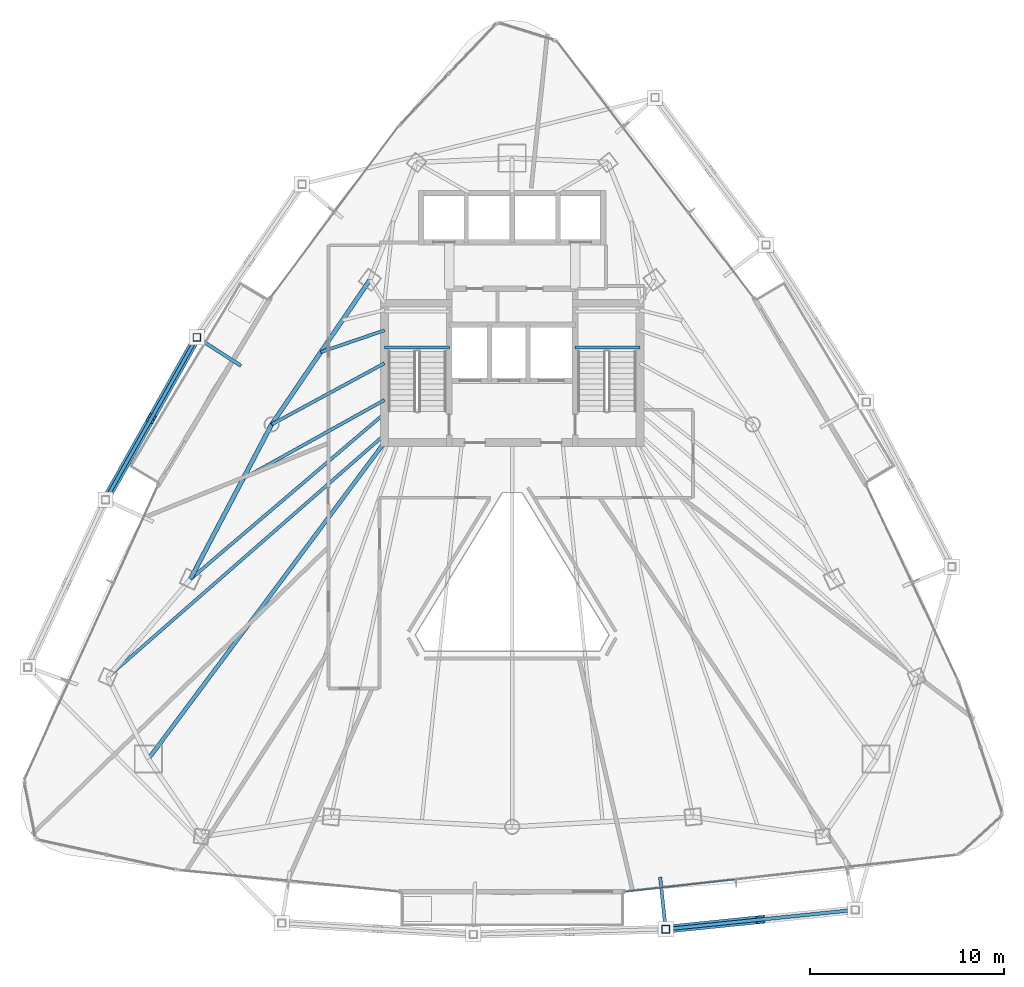
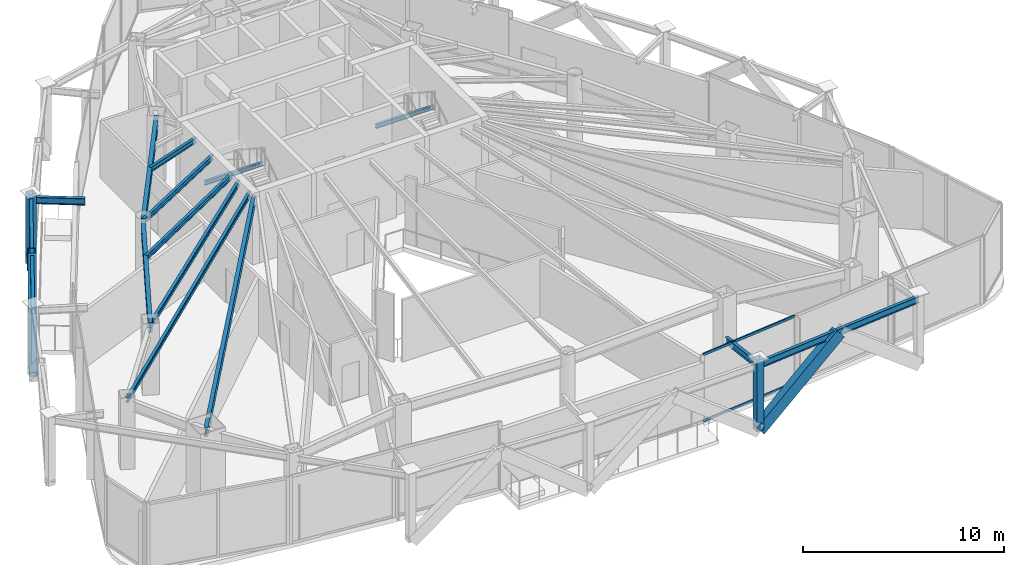
# One storey, part 11 of 28: 14 beams, 7 members, 1 element without a shape of its own.
"""IFC4 building model written with IfcOpenShell, lengths in metres."""

from ifc_helpers import new_model, si_unit, direction, frame, origin, origin_2d, place, context, subcontext, project, spatial, hollow_rectangle, i_section, extrude, material, layer, layer_set, material_profile, profile_set, type_object, element, aggregate, save


model = new_model("IFC4")

# Units and contexts
model_context = context("Model", 3, precision=1e-05, world=origin(), true_north=direction((0.0, 1.0)))
body_context = subcontext(model_context, "Body", "Model", "MODEL_VIEW")
ifc_project = project(units=[si_unit("LENGTHUNIT", "METRE"), si_unit("AREAUNIT", "SQUARE_METRE"), si_unit("VOLUMEUNIT", "CUBIC_METRE"), si_unit("PLANEANGLEUNIT", "RADIAN"), si_unit("MASSUNIT", "GRAM", prefix="KILO")], contexts=[model_context])

# Site, building, storey
site_placement = place(None, origin())
site = spatial("IfcSite", under=ifc_project, at=site_placement, CompositionType="ELEMENT")
building_placement = place(site_placement, origin())
building = spatial("IfcBuilding", under=site, at=building_placement, Name="Orvanel Arch Residences", CompositionType="ELEMENT")
storey_placement = place(building_placement, frame((0.0, 0.0, 146.300048828125)))
storey = spatial("IfcBuildingStorey", under=building, at=storey_placement, Name="L41", CompositionType="ELEMENT", Elevation=146.300048828125)

# Beams
ifc_material_1 = material(Name="Structural steel AS/NZS 3679.1 Grade 300 (300 MPa)", Category="steel")
ifc_material_profile_1 = material_profile(ifc_material_1, i_section(OverallWidth=0.208984375, OverallDepth=0.532958984375, WebThickness=0.01025390625, FlangeThickness=0.015625, at=origin_2d()), Name="530UB92.4")
ifc_profile_set_1 = profile_set([ifc_material_profile_1], Name="Structural steel AS/NZS 3679.1 Grade 300 (300 MPa)")
beam_type_1 = type_object("IfcBeamType", Name="BG-530UB", PredefinedType="BEAM", material=ifc_profile_set_1)
beam_1_placement = place(storey_placement, frame((26.375, 26.675048828125, 3.843017578125), z_axis=(-0.597893733742, -0.801575375839, 0.0), x_axis=(0.801575375839, -0.597893733742, 0.0)))
element("IfcBeam", 1, at=beam_1_placement, inside=storey, type_object=beam_type_1, Name="L41 South-West Radial Girder", PredefinedType="BEAM", context=body_context, shape_type="SweptSolid", body=[
    extrude(i_section(OverallWidth=0.208984375, OverallDepth=0.532958984375, WebThickness=0.01025390625, FlangeThickness=0.015625, at=origin_2d()), origin(), (0.0, 0.0, 1.0), 20.36474609375),
])
ifc_material_profile_2 = material_profile(ifc_material_1, i_section(OverallWidth=0.14599609375, OverallDepth=0.251953125, WebThickness=0.006103515625, FlangeThickness=0.008544921875, at=origin_2d()), Name="250UB31.4")
ifc_profile_set_2 = profile_set([ifc_material_profile_2], Name="Structural steel AS/NZS 3679.1 Grade 300 (300 MPa)")
beam_type_2 = type_object("IfcBeamType", Name="BJ-250UB", PredefinedType="JOIST", material=ifc_profile_set_2)
for number, where, z_axis, x_axis, name in (
    (2, (26.39990234375, 31.6201171875, 1.848876953125), (1.0, 0.0, 0.0), (0.0, 1.0, 0.0), "L41 ST-1 Half-Landing Support Beam 1.1"),
    (3, (36.25, 31.6201171875, 1.848876953125), (1.0, 0.0, 0.0), (0.0, 1.0, 0.0), "L41 ST-2 Half-Landing Support Beam 1.1"),
):
    element("IfcBeam", number, at=place(storey_placement, frame(where, z_axis=z_axis, x_axis=x_axis)), inside=storey, type_object=beam_type_2, Name=name, PredefinedType="JOIST", context=body_context, shape_type="SweptSolid", body=[
        extrude(i_section(OverallWidth=0.14599609375, OverallDepth=0.251953125, WebThickness=0.006103515625, FlangeThickness=0.008544921875, at=origin_2d()), origin(), (0.0, 0.0, 1.0), 3.35009765625),
    ])
ifc_material_profile_3 = material_profile(ifc_material_1, i_section(OverallWidth=0.1650390625, OverallDepth=0.303955078125, WebThickness=0.006103515625, FlangeThickness=0.01025390625, at=origin_2d()), Name="310UB40.4")
ifc_profile_set_3 = profile_set([ifc_material_profile_3], Name="Structural steel AS/NZS 3679.1 Grade 300 (300 MPa)")
beam_type_3 = type_object("IfcBeamType", Name="BJ-310UB", PredefinedType="JOIST", material=ifc_profile_set_3)
beam_2_placement = place(storey_placement, frame((26.39990234375, 30.800048828125, 3.9580078125), z_axis=(-0.87925534649, -0.476350748576, 0.0), x_axis=(0.476350748576, -0.87925534649, 0.0)))
element("IfcBeam", 4, at=beam_2_placement, inside=storey, type_object=beam_type_3, Name="L41 NW Wing Floor Joist", PredefinedType="JOIST", context=body_context, shape_type="SweptSolid", body=[
    extrude(i_section(OverallWidth=0.1650390625, OverallDepth=0.303955078125, WebThickness=0.006103515625, FlangeThickness=0.01025390625, at=origin_2d()), origin(), (0.0, 0.0, 1.0), 6.631591796875),
])
beam_3_placement = place(storey_placement, frame((26.39990234375, 28.199951171875, 3.9580078125), z_axis=(-0.760821315761, -0.648961420644, 0.0), x_axis=(0.648961420644, -0.760821315761, 0.0)))
element("IfcBeam", 5, at=beam_3_placement, inside=storey, type_object=beam_type_3, Name="L41 W Wing Floor Joist", PredefinedType="JOIST", context=body_context, shape_type="SweptSolid", body=[
    extrude(i_section(OverallWidth=0.1650390625, OverallDepth=0.303955078125, WebThickness=0.006103515625, FlangeThickness=0.01025390625, at=origin_2d()), origin(), (0.0, 0.0, 1.0), 13.18701171875),
])
beam_4_placement = place(storey_placement, frame((26.39990234375, 32.5, 3.9580078125), z_axis=(-0.946441958332, -0.322873999431, 0.0), x_axis=(0.322873999431, -0.946441958332, 0.0)))
element("IfcBeam", 6, at=beam_4_placement, inside=storey, type_object=beam_type_3, Name="L41 WNW Wing Floor Joist", PredefinedType="JOIST", context=body_context, shape_type="SweptSolid", body=[
    extrude(i_section(OverallWidth=0.1650390625, OverallDepth=0.303955078125, WebThickness=0.006103515625, FlangeThickness=0.01025390625, at=origin_2d()), origin(), (0.0, 0.0, 1.0), 3.478271484375),
])
beam_5_placement = place(storey_placement, frame((26.39990234375, 27.10009765625, 3.9580078125), z_axis=(-0.752493154183, -0.658600070534, 0.0), x_axis=(0.658600070534, -0.752493154183, 0.0)))
element("IfcBeam", 7, at=beam_5_placement, inside=storey, type_object=beam_type_3, Name="L41 MW Wing Floor Joist", PredefinedType="JOIST", context=body_context, shape_type="SweptSolid", body=[
    extrude(i_section(OverallWidth=0.1650390625, OverallDepth=0.303955078125, WebThickness=0.006103515625, FlangeThickness=0.01025390625, at=origin_2d()), origin(), (0.0, 0.0, 1.0), 19.010009765625),
])
beam_6_placement = place(storey_placement, frame((26.39990234375, 28.89990234375, 3.9580078125), z_axis=(-0.87404697606, -0.485841418202, 0.0), x_axis=(0.485841418202, -0.87404697606, 0.0)))
element("IfcBeam", 8, at=beam_6_placement, inside=storey, type_object=beam_type_3, Name="L41 CTW Wing Floor Joist", PredefinedType="JOIST", context=body_context, shape_type="SweptSolid", body=[
    extrude(i_section(OverallWidth=0.1650390625, OverallDepth=0.303955078125, WebThickness=0.006103515625, FlangeThickness=0.01025390625, at=origin_2d()), origin(), (0.0, 0.0, 1.0), 8.354248046875),
])

# Members
ifc_material_2 = material(Name="Structural steel AS/NZS 3678 Grade 350", Category="steel")
ifc_material_profile_4 = material_profile(ifc_material_2, hollow_rectangle(XDim=0.419921875, YDim=0.719970703125, WallThickness=0.02490234375, at=origin_2d()), Name="RHS720x420x25")
ifc_profile_set_4 = profile_set([ifc_material_profile_4], Name="Structural steel AS/NZS 3678 Grade 350")
member_type_1 = type_object("IfcMemberType", Name="BR-720RHS-EXT", PredefinedType="BRACE", material=ifc_profile_set_4)
for number, where, z_axis, x_axis, name in (
    (9, (16.70703125, 32.136962890625, 0.0), (-0.380884225077, -0.676773200341, 0.630004160611), (0.87146585567, -0.490456177861, 0.0), "L41 Exterior Sky-Garden V-Frame Chevron F1B2.1"),
    (10, (11.98291015625, 23.742919921875, 0.0), (0.380884225077, 0.676773200341, 0.630004160611), (-0.87146585567, 0.490456177861, 0.0), "L41 Exterior Sky-Garden V-Frame Chevron F1B2.2"),
):
    element("IfcMember", number, at=place(storey_placement, frame(where, z_axis=z_axis, x_axis=x_axis)), inside=storey, type_object=member_type_1, Name=name, PredefinedType="BRACE", context=body_context, shape_type="SweptSolid", body=[
        extrude(hollow_rectangle(XDim=0.419921875, YDim=0.719970703125, WallThickness=0.02490234375, at=origin_2d()), origin(), (0.0, 0.0, 1.0), 6.201416015625),
    ])
member_1_placement = place(storey_placement, frame((40.930908203125, 1.551025390625, 0.0), z_axis=(0.779474451545, 0.079519983899, 0.621366358559), x_axis=(-0.101490666717, 0.994836491374, 0.0)))
element("IfcMember", 11, at=member_1_placement, inside=storey, type_object=member_type_1, Name="L41 Exterior Sky-Garden V-Frame Chevron F2B3.1", PredefinedType="BRACE", context=body_context, shape_type="SweptSolid", body=[
    extrude(hollow_rectangle(XDim=0.419921875, YDim=0.719970703125, WallThickness=0.02490234375, at=origin_2d()), origin(), (0.0, 0.0, 1.0), 6.287841796875),
])

# Beams
ifc_material_profile_5 = material_profile(ifc_material_1, i_section(OverallWidth=0.177978515625, OverallDepth=0.406005859375, WebThickness=0.0078125, FlangeThickness=0.0126953125, at=origin_2d()), Name="410UB59.7")
ifc_profile_set_5 = profile_set([ifc_material_profile_5], Name="Structural steel AS/NZS 3679.1 Grade 300 (300 MPa)")
beam_type_4 = type_object("IfcBeamType", Name="OB-410UB-EXT", PredefinedType="SPANDREL", material=ifc_profile_set_5)
beam_7_placement = place(storey_placement, frame((18.98193359375, 30.6689453125, 3.906982421875), z_axis=(-0.840239663799, 0.542215185493, 0.0), x_axis=(-0.542215185493, -0.840239663799, 0.0)))
element("IfcBeam", 12, at=beam_7_placement, inside=storey, type_object=beam_type_4, Name="L41 Outer Frame Radial Tie Beam 02", PredefinedType="SPANDREL", context=body_context, shape_type="SweptSolid", body=[
    extrude(i_section(OverallWidth=0.177978515625, OverallDepth=0.406005859375, WebThickness=0.0078125, FlangeThickness=0.0126953125, at=origin_2d()), origin(), (0.0, 0.0, 1.0), 2.70751953125),
])
beam_8_placement = place(storey_placement, frame((16.70703125, 32.136962890625, 3.906982421875), z_axis=(-0.490456177861, -0.87146585567, 0.0), x_axis=(0.87146585567, -0.490456177861, 0.0)))
element("IfcBeam", 13, at=beam_8_placement, inside=storey, type_object=beam_type_4, Name="L41 Outer Perimeter Floor Ring Beam 02", PredefinedType="SPANDREL", context=body_context, shape_type="SweptSolid", body=[
    extrude(i_section(OverallWidth=0.177978515625, OverallDepth=0.406005859375, WebThickness=0.0078125, FlangeThickness=0.0126953125, at=origin_2d()), origin(), (0.0, 0.0, 1.0), 9.632080078125),
])
beam_9_placement = place(storey_placement, frame((40.64794921875, 4.243896484375, 3.906982421875), z_axis=(0.104501734568, -0.994524704305, 0.0), x_axis=(0.994524704305, 0.104501734568, 0.0)))
element("IfcBeam", 14, at=beam_9_placement, inside=storey, type_object=beam_type_4, Name="L41 Outer Frame Radial Tie Beam 07", PredefinedType="SPANDREL", context=body_context, shape_type="SweptSolid", body=[
    extrude(i_section(OverallWidth=0.177978515625, OverallDepth=0.406005859375, WebThickness=0.0078125, FlangeThickness=0.0126953125, at=origin_2d()), origin(), (0.0, 0.0, 1.0), 2.707763671875),
])
beam_10_placement = place(storey_placement, frame((40.930908203125, 1.551025390625, 3.906982421875), z_axis=(0.994836236142, 0.101493168528, 0.0), x_axis=(-0.101493168528, 0.994836236142, 0.0)))
element("IfcBeam", 15, at=beam_10_placement, inside=storey, type_object=beam_type_4, Name="L41 Outer Perimeter Floor Ring Beam 07", PredefinedType="SPANDREL", context=body_context, shape_type="SweptSolid", body=[
    extrude(i_section(OverallWidth=0.177978515625, OverallDepth=0.406005859375, WebThickness=0.0078125, FlangeThickness=0.0126953125, at=origin_2d()), origin(), (0.0, 0.0, 1.0), 9.852783203125),
])
ifc_material_profile_6 = material_profile(ifc_material_1, i_section(OverallWidth=0.22900390625, OverallDepth=0.612060546875, WebThickness=0.011962890625, FlangeThickness=0.01953125, at=origin_2d()), Name="610UB125")
ifc_profile_set_6 = profile_set([ifc_material_profile_6], Name="Structural steel AS/NZS 3679.1 Grade 300 (300 MPa)")
beam_type_5 = type_object("IfcBeamType", Name="SP-610UB", PredefinedType="SPANDREL", material=ifc_profile_set_6)
beam_11_placement = place(storey_placement, frame((25.64794921875, 35.113037109375, 3.803955078125), z_axis=(-0.562154793153, -0.827032035978, 0.0), x_axis=(0.827032035978, -0.562154793153, 0.0)))
element("IfcBeam", 16, at=beam_11_placement, inside=storey, type_object=beam_type_5, Name="L41 Perimeter Spandrel Beam 17", PredefinedType="SPANDREL", context=body_context, shape_type="SweptSolid", body=[
    extrude(i_section(OverallWidth=0.22900390625, OverallDepth=0.612060546875, WebThickness=0.011962890625, FlangeThickness=0.01953125, at=origin_2d()), origin(), (0.0, 0.0, 1.0), 9.03466796875),
])
beam_12_placement = place(storey_placement, frame((20.569091796875, 27.64111328125, 3.803955078125), z_axis=(-0.465064762793, -0.885276660942, 0.0), x_axis=(0.885276660942, -0.465064762793, 0.0)))
element("IfcBeam", 17, at=beam_12_placement, inside=storey, type_object=beam_type_5, Name="L41 Perimeter Spandrel Beam 18", PredefinedType="SPANDREL", context=body_context, shape_type="SweptSolid", body=[
    extrude(i_section(OverallWidth=0.22900390625, OverallDepth=0.612060546875, WebThickness=0.011962890625, FlangeThickness=0.01953125, at=origin_2d()), origin(), (0.0, 0.0, 1.0), 9.03564453125),
])

# Members
ifc_material_3 = material(Name="Structural steel AS/NZS 1163 C450L0 (Grade 450)", Category="steel")
ifc_material_profile_7 = material_profile(ifc_material_3, hollow_rectangle(XDim=0.39990234375, YDim=0.39990234375, WallThickness=0.01611328125, at=origin_2d()), Name="SHS400x400x16")
ifc_profile_set_7 = profile_set([ifc_material_profile_7], Name="Structural steel AS/NZS 1163 C450L0 (Grade 450)")
member_type_2 = type_object("IfcMemberType", Name="ST-400SHS-EXT", PredefinedType="STRUT", material=ifc_profile_set_7)
for number, where, z_axis, x_axis, name in (
    (18, (16.70703125, 32.136962890625, 0.0), (0.0, 0.0, 1.0), (1.0, 0.0, 0.0), "L41 Outer Perimeter Frame Post 02"),
    (19, (40.930908203125, 1.551025390625, 0.0), (0.0, 0.0, 1.0), (1.0, 0.0, 0.0), "L41 Outer Perimeter Frame Post 07"),
):
    element("IfcMember", number, at=place(storey_placement, frame(where, z_axis=z_axis, x_axis=x_axis)), inside=storey, type_object=member_type_2, Name=name, PredefinedType="STRUT", context=body_context, shape_type="SweptSolid", body=[
        extrude(hollow_rectangle(XDim=0.39990234375, YDim=0.39990234375, WallThickness=0.01611328125, at=origin_2d()), origin(), (0.0, 0.0, 1.0), 4.349853515625),
    ])

# Curtain wall, members
ifc_material_4 = material(Name="Bronze-anodised aluminium AA6063-T6", Category="aluminium")
ifc_layer = layer(ifc_material_4, 0.195068359375)
ifc_layer_set = layer_set([ifc_layer], Name="Bronze-anodised aluminium AA6063-T6")
curtain_wall_type = type_object("IfcCurtainWallType", Name="CW6-COM-SYS", PredefinedType="NOTDEFINED", material=ifc_layer_set)
curtain_wall_placement = place(storey_placement, origin())
curtain_wall = element("IfcCurtainWall", 20, at=curtain_wall_placement, inside=storey, type_object=curtain_wall_type, Name="L41 CW6-COM-SYS Unitised Curtain Wall", PredefinedType="NOTDEFINED")
ifc_material_profile_8 = material_profile(ifc_material_4, hollow_rectangle(XDim=0.06494140625, YDim=0.14990234375, WallThickness=0.00390625, at=origin_2d()), Name="ALU150x65x4")
ifc_profile_set_8 = profile_set([ifc_material_profile_8], Name="Bronze-anodised aluminium AA6063-T6")
member_type_3 = type_object("IfcMemberType", Name="TRN-150x65", PredefinedType="USERDEFINED", material=ifc_profile_set_8)
member_2_placement = place(storey_placement, frame((38.862548828125, 3.499267578125, 0.032470703125), z_axis=(0.993920394096, 0.110101090822, 0.0), x_axis=(-0.110101090822, 0.993920394096, 0.0)))
member_2 = element("IfcMember", 21, at=member_2_placement, type_object=member_type_3, Name="CW-S6 transom 1.1", ObjectType="TRANSOM", PredefinedType="USERDEFINED", context=body_context, shape_type="SweptSolid", body=[
    extrude(hollow_rectangle(XDim=0.06494140625, YDim=0.14990234375, WallThickness=0.00390625, at=origin_2d()), origin(), (0.0, 0.0, 1.0), 5.676513671875),
])
member_3_placement = place(storey_placement, frame((38.862548828125, 3.499267578125, 4.077392578125), z_axis=(0.993920394096, 0.110101090822, 0.0), x_axis=(-0.110101090822, 0.993920394096, 0.0)))
member_3 = element("IfcMember", 22, at=member_3_placement, type_object=member_type_3, Name="CW-S6 transom 1.2", ObjectType="TRANSOM", PredefinedType="USERDEFINED", context=body_context, shape_type="SweptSolid", body=[
    extrude(hollow_rectangle(XDim=0.06494140625, YDim=0.14990234375, WallThickness=0.00390625, at=origin_2d()), origin(), (0.0, 0.0, 1.0), 5.676513671875),
])
aggregate(curtain_wall, [member_2, member_3])

save(model, "model.ifc")
